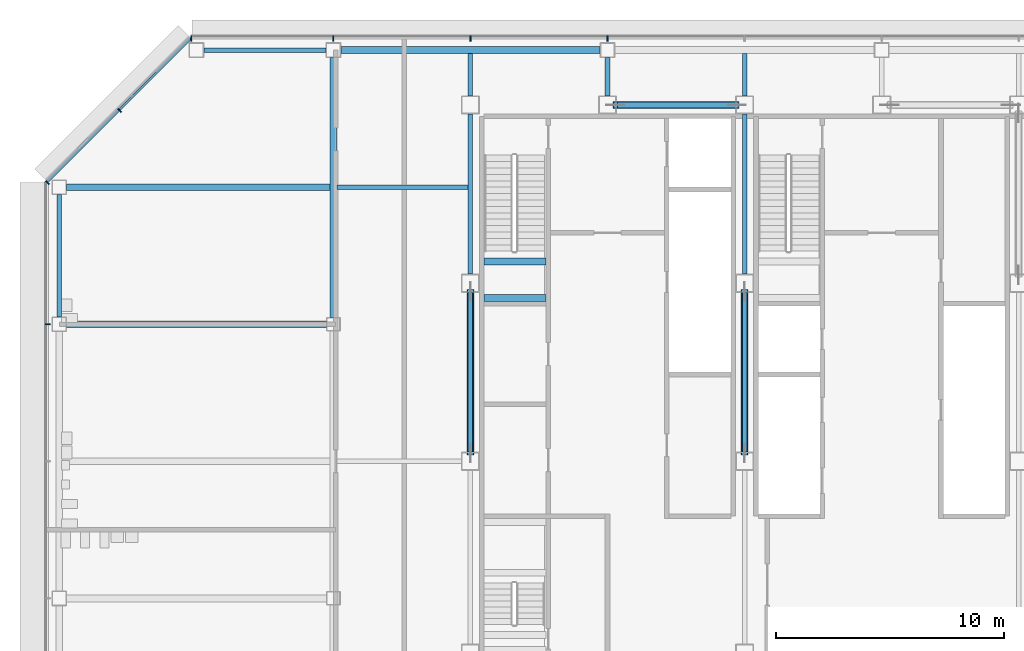
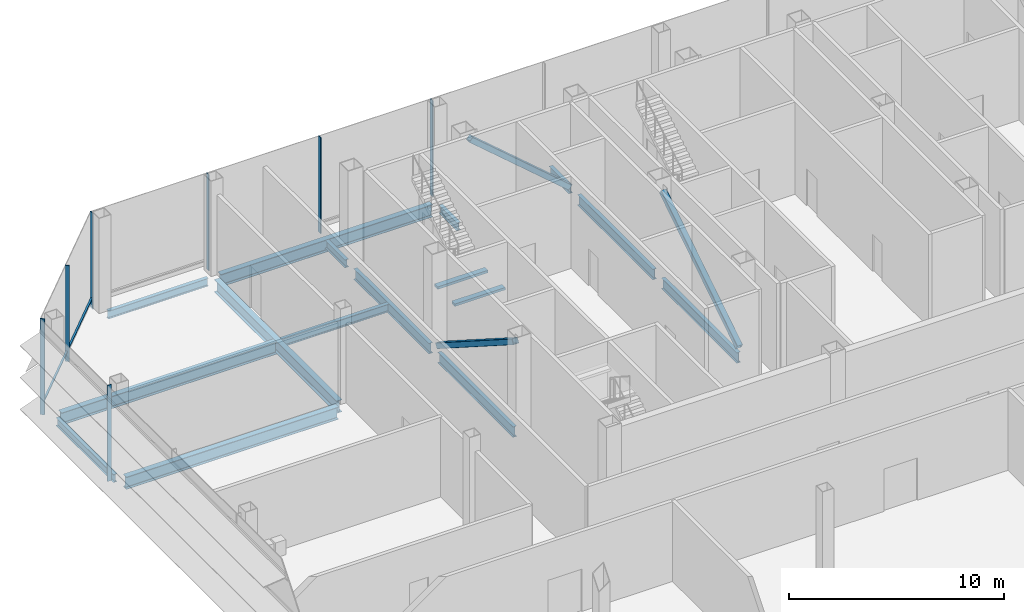
# One storey, part 10 of 25: 16 beams, 11 members, 3 elements without a shape of their own.
"""IFC4 building model written with IfcOpenShell, lengths in metres."""

from ifc_helpers import new_model, si_unit, direction, frame, origin, origin_2d, place, context, subcontext, project, spatial, rectangle, hollow_rectangle, i_section, extrude, material, material_profile, profile_set, type_object, element, aggregate, save


model = new_model("IFC4")

# Units and contexts
model_context = context("Model", 3, precision=1e-05, world=origin(), true_north=direction((0.0, 1.0)))
body_context = subcontext(model_context, "Body", "Model", "MODEL_VIEW")
ifc_project = project(units=[si_unit("LENGTHUNIT", "METRE"), si_unit("AREAUNIT", "SQUARE_METRE"), si_unit("VOLUMEUNIT", "CUBIC_METRE"), si_unit("PLANEANGLEUNIT", "RADIAN"), si_unit("MASSUNIT", "GRAM", prefix="KILO")], contexts=[model_context])

# Site, building, storey
site_placement = place(None, origin())
site = spatial("IfcSite", under=ifc_project, at=site_placement, CompositionType="ELEMENT")
building_placement = place(site_placement, origin())
building = spatial("IfcBuilding", under=site, at=building_placement, Name="Sorahane Residences", CompositionType="ELEMENT")
storey_placement = place(building_placement, frame((0.0, 0.0, 210.0)))
storey = spatial("IfcBuildingStorey", under=building, at=storey_placement, Name="L49", CompositionType="ELEMENT", Elevation=210.0)

# Members
ifc_material_1 = material(Name="Steel Q355B", Category="steel")
ifc_material_profile_1 = material_profile(ifc_material_1, hollow_rectangle(XDim=0.300048828125, YDim=0.300048828125, WallThickness=0.01611328125, InnerFilletRadius=0.008056640625, OuterFilletRadius=0.02392578125, at=origin_2d()), Name="RHS 300x300x16")
ifc_profile_set_1 = profile_set([ifc_material_profile_1], Name="Steel Q355B")
member_type_1 = type_object("IfcMemberType", Name="Core brace RHS 300x300x16 Q355B", PredefinedType="BRACE", material=ifc_profile_set_1)
member_1_placement = place(storey_placement, frame((17.65869140625, 45.60009765625, 0.099609375), z_axis=(-0.758336649086, 0.0, 0.651863119568), x_axis=(0.0, -1.0, 0.0)))
element("IfcMember", 1, at=member_1_placement, inside=storey, type_object=member_type_1, Name="Core brace L49 y45.6-2", PredefinedType="BRACE", context=body_context, shape_type="SweptSolid", body=[
    extrude(hollow_rectangle(XDim=0.300048828125, YDim=0.300048828125, WallThickness=0.01611328125, InnerFilletRadius=0.008056640625, OuterFilletRadius=0.02392578125, at=origin_2d()), origin(), (0.0, 0.0, 1.0), 7.011962890625),
])
for number, where, z_axis, x_axis, name in (
    (2, (6.0, 37.448486328125, 0.119140625), (0.0, -0.842825953617, 0.538186224192), (1.0, 0.0, 0.0), "Core brace L49 x6-2"),
    (3, (18.0, 30.3515625, 0.119140625), (0.0, 0.842825953617, 0.538186224192), (-1.0, 0.0, 0.0), "Core brace L49 x18-1"),
):
    element("IfcMember", number, at=place(storey_placement, frame(where, z_axis=z_axis, x_axis=x_axis)), inside=storey, type_object=member_type_1, Name=name, PredefinedType="BRACE", context=body_context, shape_type="SweptSolid", body=[
        extrude(hollow_rectangle(XDim=0.300048828125, YDim=0.300048828125, WallThickness=0.01611328125, InnerFilletRadius=0.008056640625, OuterFilletRadius=0.02392578125, at=origin_2d()), origin(), (0.0, 0.0, 1.0), 8.42041015625),
    ])

# Curtain wall, members
ifc_material_2 = material(Name="Dark low-e glass and black anodised aluminium", Category="aluminium")
curtain_wall_type = type_object("IfcCurtainWallType", Name="Curtain wall CW-4 Sky floor frameless wall", PredefinedType="NOTDEFINED", material=ifc_material_2)
curtain_wall_1_placement = place(storey_placement, origin())
curtain_wall_1 = element("IfcCurtainWall", 4, at=curtain_wall_1_placement, inside=storey, type_object=curtain_wall_type, Name="CW-4 curtain wall L49 N1", PredefinedType="NOTDEFINED")
ifc_material_3 = material(Name="Black anodised aluminium", Category="aluminium")
ifc_material_profile_2 = material_profile(ifc_material_3, rectangle(XDim=0.219970703125, YDim=0.050048828125, at=origin_2d()), Name="Curtain wall mullion CW-4 black anodised aluminium 50x220")
ifc_profile_set_2 = profile_set([ifc_material_profile_2], Name="Black anodised aluminium")
member_type_2 = type_object("IfcMemberType", Name="Curtain wall mullion CW-4 black anodised aluminium 50x220", PredefinedType="MULLION", material=ifc_profile_set_2)
member_2_placement = place(storey_placement, frame((12.0, 48.510009765625, -0.219970703125), z_axis=(0.0, 0.0, 1.0), x_axis=(0.0, 1.0, 0.0)))
member_2 = element("IfcMember", 5, at=member_2_placement, type_object=member_type_2, Name="CW-4 mullion L49 N1.7", PredefinedType="MULLION", context=body_context, shape_type="SweptSolid", body=[
    extrude(rectangle(XDim=0.219970703125, YDim=0.050048828125, at=origin_2d()), origin(), (0.0, 0.0, 1.0), 5.43994140625),
])
member_3_placement = place(storey_placement, frame((6.0, 48.510009765625, -0.219970703125), z_axis=(0.0, 0.0, 1.0), x_axis=(0.0, 1.0, 0.0)))
member_3 = element("IfcMember", 6, at=member_3_placement, type_object=member_type_2, Name="CW-4 mullion L49 N1.8", PredefinedType="MULLION", context=body_context, shape_type="SweptSolid", body=[
    extrude(rectangle(XDim=0.219970703125, YDim=0.050048828125, at=origin_2d()), origin(), (0.0, 0.0, 1.0), 5.43994140625),
])
member_4_placement = place(storey_placement, frame((0.0, 48.510009765625, -0.219970703125), z_axis=(0.0, 0.0, 1.0), x_axis=(0.0, 1.0, 0.0)))
member_4 = element("IfcMember", 7, at=member_4_placement, type_object=member_type_2, Name="CW-4 mullion L49 N1.9", PredefinedType="MULLION", context=body_context, shape_type="SweptSolid", body=[
    extrude(rectangle(XDim=0.219970703125, YDim=0.050048828125, at=origin_2d()), origin(), (0.0, 0.0, 1.0), 5.43994140625),
])
member_5_placement = place(storey_placement, frame((-6.2236328125, 48.510009765625, -0.219970703125), z_axis=(0.0, 0.0, 1.0), x_axis=(0.0, 1.0, 0.0)))
member_5 = element("IfcMember", 8, at=member_5_placement, type_object=member_type_2, Name="CW-4 mullion L49 N1.10", PredefinedType="MULLION", context=body_context, shape_type="SweptSolid", body=[
    extrude(rectangle(XDim=0.219970703125, YDim=0.050048828125, at=origin_2d()), origin(), (0.0, 0.0, 1.0), 5.43994140625),
])
aggregate(curtain_wall_1, [member_2, member_3, member_4, member_5])

curtain_wall_2_placement = place(storey_placement, origin())
curtain_wall_2 = element("IfcCurtainWall", 9, at=curtain_wall_2_placement, inside=storey, type_object=curtain_wall_type, Name="CW-4 curtain wall L49 NW1", PredefinedType="NOTDEFINED")
member_6_placement = place(storey_placement, frame((-9.360595703125, 45.360595703125, -0.219970703125), z_axis=(0.0, 0.0, 1.0), x_axis=(-0.707106781187, 0.707106781187, 0.0)))
member_6 = element("IfcMember", 10, at=member_6_placement, type_object=member_type_2, Name="CW-4 mullion L49 NW1.2", PredefinedType="MULLION", context=body_context, shape_type="SweptSolid", body=[
    extrude(rectangle(XDim=0.219970703125, YDim=0.050048828125, at=origin_2d()), origin(), (0.0, 0.0, 1.0), 5.43994140625),
])
member_7_placement = place(storey_placement, frame((-12.518798828125, 42.20263671875, -0.219970703125), z_axis=(0.0, 0.0, 1.0), x_axis=(-0.707106781187, 0.707106781187, 0.0)))
member_7 = element("IfcMember", 11, at=member_7_placement, type_object=member_type_2, Name="CW-4 mullion L49 NW1.3", PredefinedType="MULLION", context=body_context, shape_type="SweptSolid", body=[
    extrude(rectangle(XDim=0.219970703125, YDim=0.050048828125, at=origin_2d()), origin(), (0.0, 0.0, 1.0), 5.43994140625),
])

# Curtain wall, member
curtain_wall_3_placement = place(storey_placement, origin())
curtain_wall_3 = element("IfcCurtainWall", 12, at=curtain_wall_3_placement, inside=storey, type_object=curtain_wall_type, Name="CW-4 curtain wall L49 W1", PredefinedType="NOTDEFINED")
member_8_placement = place(storey_placement, frame((-12.510009765625, 36.0, -0.219970703125), z_axis=(0.0, 0.0, 1.0), x_axis=(-1.0, 0.0, 0.0)))
member_8 = element("IfcMember", 13, at=member_8_placement, type_object=member_type_2, Name="CW-4 mullion L49 W1.2", PredefinedType="MULLION", context=body_context, shape_type="SweptSolid", body=[
    extrude(rectangle(XDim=0.219970703125, YDim=0.050048828125, at=origin_2d()), origin(), (0.0, 0.0, 1.0), 5.43994140625),
])
aggregate(curtain_wall_3, [member_8])

# Member
ifc_material_4 = material(Name="Black anodised aluminium", Category="aluminium")
ifc_material_profile_3 = material_profile(ifc_material_4, rectangle(XDim=0.10009765625, YDim=0.06005859375, at=origin_2d()), Name="Curtain wall transom CW-4 black anodised aluminium 60x100")
ifc_profile_set_3 = profile_set([ifc_material_profile_3], Name="Black anodised aluminium")
member_type_3 = type_object("IfcMemberType", Name="Curtain wall transom CW-4 black anodised aluminium 60x100", PredefinedType="USERDEFINED", material=ifc_profile_set_3)
member_9_placement = place(storey_placement, frame((-6.234375, 48.51513671875, 0.35009765625), z_axis=(-0.707106781187, -0.707106781187, 0.0), x_axis=(0.707106781187, -0.707106781187, 0.0)))
member_9 = element("IfcMember", 14, at=member_9_placement, type_object=member_type_3, Name="CW-4 transom L49 NW1", ObjectType="TRANSOM", PredefinedType="USERDEFINED", context=body_context, shape_type="SweptSolid", body=[
    extrude(rectangle(XDim=0.10009765625, YDim=0.06005859375, at=origin_2d()), origin(), (0.0, 0.0, 1.0), 8.88232421875),
])

aggregate(curtain_wall_2, [member_6, member_7, member_9])

# Beams
ifc_material_5 = material(Name="Concrete C40", Category="concrete")
ifc_material_profile_4 = material_profile(ifc_material_5, rectangle(XDim=0.300048828125, YDim=0.139892578125, at=origin_2d()), Name="300x140")
ifc_profile_set_4 = profile_set([ifc_material_profile_4], Name="Concrete C40")
beam_type_1 = type_object("IfcBeamType", Name="RC landing beam 300 x 140 Concrete C40", PredefinedType="BEAM", material=ifc_profile_set_4)
for number, where, z_axis, x_axis, name in (
    (15, (6.60009765625, 37.14990234375, 2.429931640625), (1.0, 0.0, 0.0), (0.0, 1.0, 0.0), "Landing beam"),
    (16, (6.60009765625, 38.75, 2.429931640625), (1.0, 0.0, 0.0), (0.0, 1.0, 0.0), "Landing beam"),
):
    element("IfcBeam", number, at=place(storey_placement, frame(where, z_axis=z_axis, x_axis=x_axis)), inside=storey, type_object=beam_type_1, Name=name, PredefinedType="BEAM", context=body_context, shape_type="SweptSolid", body=[
        extrude(rectangle(XDim=0.300048828125, YDim=0.139892578125, at=origin_2d()), origin(), (0.0, 0.0, 1.0), 2.699951171875),
    ])
ifc_material_6 = material(Name="Steel Q355B", Category="steel")
ifc_material_profile_5 = material_profile(ifc_material_6, i_section(OverallWidth=0.199951171875, OverallDepth=0.449951171875, WebThickness=0.009033203125, FlangeThickness=0.013916015625, FilletRadius=0.02001953125, at=origin_2d()), Name="HN 450x200x9x14")
ifc_profile_set_5 = profile_set([ifc_material_profile_5], Name="Steel Q355B")
beam_type_2 = type_object("IfcBeamType", Name="Steel floor beam HN 450x200x9x14 Q355B", PredefinedType="BEAM", material=ifc_profile_set_5)
for number, where, z_axis, x_axis, name in (
    (17, (-5.675048828125, 48.0, -0.445068359375), (1.0, 0.0, 0.0), (0.0, 1.0, 0.0), "Beam L49 015"),
    (18, (-12.0, 36.324951171875, -0.445068359375), (0.0, 1.0, 0.0), (-1.0, 0.0, 0.0), "Beam L49 023"),
):
    element("IfcBeam", number, at=place(storey_placement, frame(where, z_axis=z_axis, x_axis=x_axis)), inside=storey, type_object=beam_type_2, Name=name, PredefinedType="BEAM", context=body_context, shape_type="SweptSolid", body=[
        extrude(i_section(OverallWidth=0.199951171875, OverallDepth=0.449951171875, WebThickness=0.009033203125, FlangeThickness=0.013916015625, FilletRadius=0.02001953125, at=origin_2d()), origin(), (0.0, 0.0, 1.0), 5.35009765625),
    ])
beam_1_placement = place(storey_placement, frame((6.0, 46.0, -0.445068359375), z_axis=(0.0, 1.0, 0.0), x_axis=(-1.0, 0.0, 0.0)))
element("IfcBeam", 19, at=beam_1_placement, inside=storey, type_object=beam_type_2, Name="Beam L49 033", PredefinedType="BEAM", context=body_context, shape_type="SweptSolid", body=[
    extrude(i_section(OverallWidth=0.199951171875, OverallDepth=0.449951171875, WebThickness=0.009033203125, FlangeThickness=0.013916015625, FilletRadius=0.02001953125, at=origin_2d()), origin(), (0.0, 0.0, 1.0), 1.85009765625),
])
beam_2_placement = place(storey_placement, frame((12.0, 46.0, -0.445068359375), z_axis=(0.0, 1.0, 0.0), x_axis=(-1.0, 0.0, 0.0)))
element("IfcBeam", 20, at=beam_2_placement, inside=storey, type_object=beam_type_2, Name="Beam L49 035", PredefinedType="BEAM", context=body_context, shape_type="SweptSolid", body=[
    extrude(i_section(OverallWidth=0.199951171875, OverallDepth=0.449951171875, WebThickness=0.009033203125, FlangeThickness=0.013916015625, FilletRadius=0.02001953125, at=origin_2d()), origin(), (0.0, 0.0, 1.0), 1.675048828125),
])
beam_3_placement = place(storey_placement, frame((18.0, 46.0, -0.445068359375), z_axis=(0.0, 1.0, 0.0), x_axis=(-1.0, 0.0, 0.0)))
element("IfcBeam", 21, at=beam_3_placement, inside=storey, type_object=beam_type_2, Name="Beam L49 041", PredefinedType="BEAM", context=body_context, shape_type="SweptSolid", body=[
    extrude(i_section(OverallWidth=0.199951171875, OverallDepth=0.449951171875, WebThickness=0.009033203125, FlangeThickness=0.013916015625, FilletRadius=0.02001953125, at=origin_2d()), origin(), (0.0, 0.0, 1.0), 1.85009765625),
])
beam_4_placement = place(storey_placement, frame((0.14990234375, 42.0, -0.445068359375), z_axis=(1.0, 0.0, 0.0), x_axis=(0.0, 1.0, 0.0)))
element("IfcBeam", 22, at=beam_4_placement, inside=storey, type_object=beam_type_2, Name="Beam L49 090", PredefinedType="BEAM", context=body_context, shape_type="SweptSolid", body=[
    extrude(i_section(OverallWidth=0.199951171875, OverallDepth=0.449951171875, WebThickness=0.009033203125, FlangeThickness=0.013916015625, FilletRadius=0.02001953125, at=origin_2d()), origin(), (0.0, 0.0, 1.0), 5.75),
])
ifc_material_7 = material(Name="Steel Q355B", Category="steel")
ifc_material_profile_6 = material_profile(ifc_material_7, i_section(OverallWidth=0.199951171875, OverallDepth=0.60009765625, WebThickness=0.010986328125, FlangeThickness=0.01708984375, FilletRadius=0.02392578125, at=origin_2d()), Name="HN 600x200x11x17")
ifc_profile_set_6 = profile_set([ifc_material_profile_6], Name="Steel Q355B")
beam_type_3 = type_object("IfcBeamType", Name="Steel floor beam HN 600x200x11x17 Q355B", PredefinedType="BEAM", material=ifc_profile_set_6)
for number, where, z_axis, x_axis, name in (
    (23, (6.0, 30.39990234375, -0.52001953125), (0.0, 1.0, 0.0), (-1.0, 0.0, 0.0), "Beam L49 031"),
    (24, (6.0, 38.199951171875, -0.52001953125), (0.0, 1.0, 0.0), (-1.0, 0.0, 0.0), "Beam L49 032"),
    (25, (18.0, 30.39990234375, -0.52001953125), (0.0, 1.0, 0.0), (-1.0, 0.0, 0.0), "Beam L49 039"),
    (26, (18.0, 38.199951171875, -0.52001953125), (0.0, 1.0, 0.0), (-1.0, 0.0, 0.0), "Beam L49 040"),
):
    element("IfcBeam", number, at=place(storey_placement, frame(where, z_axis=z_axis, x_axis=x_axis)), inside=storey, type_object=beam_type_3, Name=name, PredefinedType="BEAM", context=body_context, shape_type="SweptSolid", body=[
        extrude(i_section(OverallWidth=0.199951171875, OverallDepth=0.60009765625, WebThickness=0.010986328125, FlangeThickness=0.01708984375, FilletRadius=0.02392578125, at=origin_2d()), origin(), (0.0, 0.0, 1.0), 7.0),
    ])
ifc_material_8 = material(Name="Steel Q355B", Category="steel")
ifc_material_profile_7 = material_profile(ifc_material_8, i_section(OverallWidth=0.300048828125, OverallDepth=0.699951171875, WebThickness=0.012939453125, FlangeThickness=0.02392578125, FilletRadius=0.028076171875, at=origin_2d()), Name="HN 700x300x13x24")
ifc_profile_set_7 = profile_set([ifc_material_profile_7], Name="Steel Q355B")
beam_type_4 = type_object("IfcBeamType", Name="Steel floor beam HN 700x300x13x24 Q355B", PredefinedType="BEAM", material=ifc_profile_set_7)
beam_5_placement = place(storey_placement, frame((-11.675048828125, 36.0, -0.570068359375), z_axis=(1.0, 0.0, 0.0), x_axis=(0.0, 1.0, 0.0)))
element("IfcBeam", 27, at=beam_5_placement, inside=storey, type_object=beam_type_4, Name="Beam L49 013", PredefinedType="BEAM", context=body_context, shape_type="SweptSolid", body=[
    extrude(i_section(OverallWidth=0.300048828125, OverallDepth=0.699951171875, WebThickness=0.012939453125, FlangeThickness=0.02392578125, FilletRadius=0.028076171875, at=origin_2d()), origin(), (0.0, 0.0, 1.0), 11.375),
])
beam_6_placement = place(storey_placement, frame((0.324951171875, 48.0, -0.570068359375), z_axis=(1.0, 0.0, 0.0), x_axis=(0.0, 1.0, 0.0)))
element("IfcBeam", 28, at=beam_6_placement, inside=storey, type_object=beam_type_4, Name="Beam L49 016", PredefinedType="BEAM", context=body_context, shape_type="SweptSolid", body=[
    extrude(i_section(OverallWidth=0.300048828125, OverallDepth=0.699951171875, WebThickness=0.012939453125, FlangeThickness=0.02392578125, FilletRadius=0.028076171875, at=origin_2d()), origin(), (0.0, 0.0, 1.0), 11.35009765625),
])
beam_7_placement = place(storey_placement, frame((0.0, 36.300048828125, -0.570068359375), z_axis=(0.0, 1.0, 0.0), x_axis=(-1.0, 0.0, 0.0)))
element("IfcBeam", 29, at=beam_7_placement, inside=storey, type_object=beam_type_4, Name="Beam L49 027", PredefinedType="BEAM", context=body_context, shape_type="SweptSolid", body=[
    extrude(i_section(OverallWidth=0.300048828125, OverallDepth=0.699951171875, WebThickness=0.012939453125, FlangeThickness=0.02392578125, FilletRadius=0.028076171875, at=origin_2d()), origin(), (0.0, 0.0, 1.0), 11.375),
])
beam_8_placement = place(storey_placement, frame((-11.675048828125, 42.0, -0.570068359375), z_axis=(1.0, 0.0, 0.0), x_axis=(0.0, 1.0, 0.0)))
element("IfcBeam", 30, at=beam_8_placement, inside=storey, type_object=beam_type_4, Name="Beam L49 089", PredefinedType="BEAM", context=body_context, shape_type="SweptSolid", body=[
    extrude(i_section(OverallWidth=0.300048828125, OverallDepth=0.699951171875, WebThickness=0.012939453125, FlangeThickness=0.02392578125, FilletRadius=0.028076171875, at=origin_2d()), origin(), (0.0, 0.0, 1.0), 11.525146484375),
])

save(model, "model.ifc")
